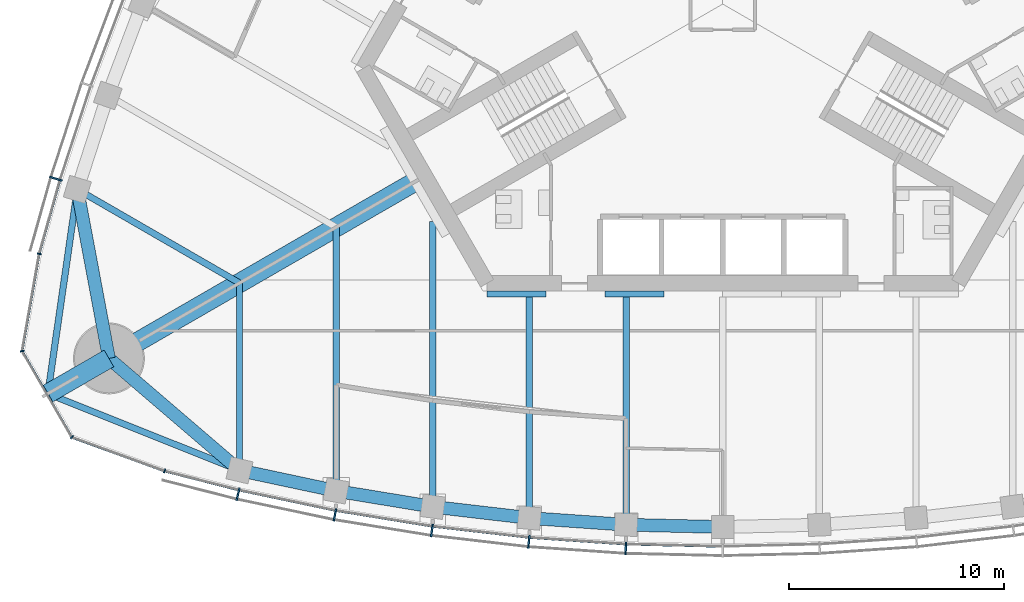
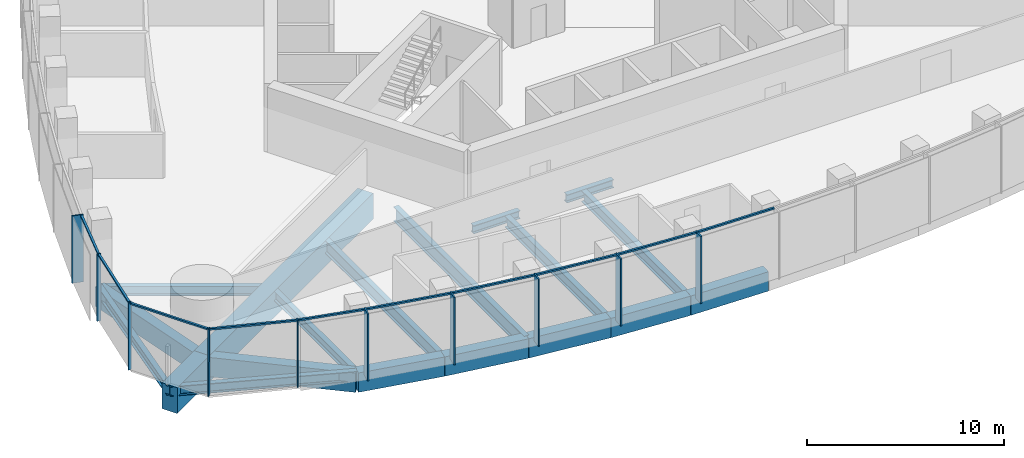
# One storey, part 2 of 19: 20 members, 19 beams, 3 elements without a shape of their own.
"""IFC4 building model written with IfcOpenShell, lengths in metres."""

from ifc_helpers import new_model, si_unit, direction, frame, origin, origin_2d, place, context, subcontext, project, spatial, rectangle, i_section, extrude, material, material_profile, profile_set, type_object, element, aggregate, save


model = new_model("IFC4")

# Units and contexts
model_context = context("Model", 3, precision=1e-05, world=origin(), true_north=direction((0.0, 1.0)))
body_context = subcontext(model_context, "Body", "Model", "MODEL_VIEW")
ifc_project = project(units=[si_unit("LENGTHUNIT", "METRE"), si_unit("AREAUNIT", "SQUARE_METRE"), si_unit("VOLUMEUNIT", "CUBIC_METRE"), si_unit("PLANEANGLEUNIT", "RADIAN"), si_unit("MASSUNIT", "GRAM", prefix="KILO")], contexts=[model_context])

# Site, building, storey
site_placement = place(None, origin())
site = spatial("IfcSite", under=ifc_project, at=site_placement, CompositionType="ELEMENT")
building_placement = place(site_placement, origin())
building = spatial("IfcBuilding", under=site, at=building_placement, Name="Trefoil Bronze Tower", CompositionType="ELEMENT")
storey_placement = place(building_placement, frame((0.0, 0.0, 227.5)))
storey = spatial("IfcBuildingStorey", under=building, at=storey_placement, Name="L52", CompositionType="ELEMENT", Elevation=227.5)

# Curtain wall, members
ifc_material_1 = material(Name="Tinted solar-control glass", Category="glass")
curtain_wall_type_1 = type_object("IfcCurtainWallType", Name="Bronze office curtain wall", PredefinedType="USERDEFINED", material=ifc_material_1)
curtain_wall_1_placement = place(storey_placement, origin())
curtain_wall_1 = element("IfcCurtainWall", 1, at=curtain_wall_1_placement, inside=storey, type_object=curtain_wall_type_1, Name="CW-A L52 F1", ObjectType="CURTAIN WALL", PredefinedType="USERDEFINED")
ifc_material_2 = material(Name="Bronze-finish aluminium", Category="aluminium")
ifc_material_profile_1 = material_profile(ifc_material_2, rectangle(XDim=0.60009765625, YDim=0.080078125, at=origin_2d()), Name="CW-A mullion")
ifc_profile_set_1 = profile_set([ifc_material_profile_1], Name="Bronze-finish aluminium")
member_type_1 = type_object("IfcMemberType", Name="Bronze office curtain wall mullion", PredefinedType="MULLION", material=ifc_profile_set_1)
member_1_placement = place(storey_placement, frame((-22.568115234375, -22.82421875, 0.0), z_axis=(0.0, 0.0, 1.0), x_axis=(0.227082662569, 0.973875487093, 0.0)))
member_1 = element("IfcMember", 2, at=member_1_placement, type_object=member_type_1, Name="CW-A L52 F1 mullion 2", PredefinedType="MULLION", context=body_context, shape_type="SweptSolid", body=[
    extrude(rectangle(XDim=0.60009765625, YDim=0.080078125, at=origin_2d()), origin(), (0.0, 0.0, 1.0), 4.179931640625),
])
member_2_placement = place(storey_placement, frame((-18.05517578125, -23.77783203125, 0.0), z_axis=(0.0, 0.0, 1.0), x_axis=(0.183825368167, 0.982958917767, 0.0)))
member_2 = element("IfcMember", 3, at=member_2_placement, type_object=member_type_1, Name="CW-A L52 F1 mullion 3", PredefinedType="MULLION", context=body_context, shape_type="SweptSolid", body=[
    extrude(rectangle(XDim=0.60009765625, YDim=0.080078125, at=origin_2d()), origin(), (0.0, 0.0, 1.0), 4.179931640625),
])
member_3_placement = place(storey_placement, frame((-13.541259765625, -24.51318359375, 0.0), z_axis=(0.0, 0.0, 1.0), x_axis=(0.137867887204, 0.990450627582, 0.0)))
member_3 = element("IfcMember", 4, at=member_3_placement, type_object=member_type_1, Name="CW-A L52 F1 mullion 4", PredefinedType="MULLION", context=body_context, shape_type="SweptSolid", body=[
    extrude(rectangle(XDim=0.60009765625, YDim=0.080078125, at=origin_2d()), origin(), (0.0, 0.0, 1.0), 4.179931640625),
])
member_4_placement = place(storey_placement, frame((-9.027587890625, -25.03515625, 0.0), z_axis=(0.0, 0.0, 1.0), x_axis=(0.091911396394, 0.995767189263, 0.0)))
member_4 = element("IfcMember", 5, at=member_4_placement, type_object=member_type_1, Name="CW-A L52 F1 mullion 5", PredefinedType="MULLION", context=body_context, shape_type="SweptSolid", body=[
    extrude(rectangle(XDim=0.60009765625, YDim=0.080078125, at=origin_2d()), origin(), (0.0, 0.0, 1.0), 4.179931640625),
])
member_5_placement = place(storey_placement, frame((-4.513671875, -25.346923828125, 0.0), z_axis=(0.0, 0.0, 1.0), x_axis=(0.045955542372, 0.998943485952, 0.0)))
member_5 = element("IfcMember", 6, at=member_5_placement, type_object=member_type_1, Name="CW-A L52 F1 mullion 6", PredefinedType="MULLION", context=body_context, shape_type="SweptSolid", body=[
    extrude(rectangle(XDim=0.60009765625, YDim=0.080078125, at=origin_2d()), origin(), (0.0, 0.0, 1.0), 4.179931640625),
])

# Curtain wall, member
curtain_wall_2_placement = place(storey_placement, origin())
curtain_wall_2 = element("IfcCurtainWall", 7, at=curtain_wall_2_placement, inside=storey, type_object=curtain_wall_type_1, Name="CW-A L52 F3", ObjectType="CURTAIN WALL", PredefinedType="USERDEFINED")
member_6_placement = place(storey_placement, frame((-31.05029296875, -8.132568359375, 0.0), z_axis=(0.0, 0.0, 1.0), x_axis=(0.95694224323, -0.290278389002, 0.0)))
member_6 = element("IfcMember", 8, at=member_6_placement, type_object=member_type_1, Name="CW-A L52 F3 mullion 12", PredefinedType="MULLION", context=body_context, shape_type="SweptSolid", body=[
    extrude(rectangle(XDim=0.60009765625, YDim=0.080078125, at=origin_2d()), origin(), (0.0, 0.0, 1.0), 4.179931640625),
])

# Member
ifc_material_3 = material(Name="Bronze-finish aluminium", Category="aluminium")
ifc_material_profile_2 = material_profile(ifc_material_3, rectangle(XDim=0.1201171875, YDim=0.10009765625, at=origin_2d()), Name="CW-A transom")
ifc_profile_set_2 = profile_set([ifc_material_profile_2], Name="Bronze-finish aluminium")
member_type_2 = type_object("IfcMemberType", Name="Bronze office curtain wall transom", PredefinedType="USERDEFINED", material=ifc_profile_set_2)
member_7_placement = place(storey_placement, frame((-25.93896484375, -21.75732421875, 4.1298828125), z_axis=(0.968935220916, -0.247314653162, 0.0), x_axis=(0.247314653162, 0.968935220916, 0.0)))
member_7 = element("IfcMember", 9, at=member_7_placement, type_object=member_type_2, Name="CW-A L52 F1 transom 1", ObjectType="TRANSOM", PredefinedType="USERDEFINED", context=body_context, shape_type="SweptSolid", body=[
    extrude(rectangle(XDim=0.1201171875, YDim=0.10009765625, at=origin_2d()), origin(), (0.0, 0.0, 1.0), 3.483642578125),
])

member_8_placement = place(storey_placement, frame((-22.4814453125, -22.63818359375, 4.1298828125), z_axis=(0.978395325657, -0.20674280334, 0.0), x_axis=(0.20674280334, 0.978395325657, 0.0)))
member_8 = element("IfcMember", 10, at=member_8_placement, type_object=member_type_2, Name="CW-A L52 F1 transom 2", ObjectType="TRANSOM", PredefinedType="USERDEFINED", context=body_context, shape_type="SweptSolid", body=[
    extrude(rectangle(XDim=0.1201171875, YDim=0.10009765625, at=origin_2d()), origin(), (0.0, 0.0, 1.0), 4.519287109375),
])

member_9_placement = place(storey_placement, frame((-17.9765625, -23.588134765625, 4.1298828125), z_axis=(0.986988367046, -0.160791676761, 0.0), x_axis=(0.160791676761, 0.986988367046, 0.0)))
member_9 = element("IfcMember", 11, at=member_9_placement, type_object=member_type_2, Name="CW-A L52 F1 transom 3", ObjectType="TRANSOM", PredefinedType="USERDEFINED", context=body_context, shape_type="SweptSolid", body=[
    extrude(rectangle(XDim=0.1201171875, YDim=0.10009765625, at=origin_2d()), origin(), (0.0, 0.0, 1.0), 4.479248046875),
])

member_10_placement = place(storey_placement, frame((-13.4716796875, -24.320068359375, 4.1298828125), z_axis=(0.993384885596, -0.114832352013, 0.0), x_axis=(0.114832352013, 0.993384885596, 0.0)))
member_10 = element("IfcMember", 12, at=member_10_placement, type_object=member_type_2, Name="CW-A L52 F1 transom 4", ObjectType="TRANSOM", PredefinedType="USERDEFINED", context=body_context, shape_type="SweptSolid", body=[
    extrude(rectangle(XDim=0.1201171875, YDim=0.10009765625, at=origin_2d()), origin(), (0.0, 0.0, 1.0), 4.449951171875),
])

member_11_placement = place(storey_placement, frame((-8.967041015625, -24.8388671875, 4.1298828125), z_axis=(0.997621320987, -0.06893257512, 0.0), x_axis=(0.06893257512, 0.997621320987, 0.0)))
member_11 = element("IfcMember", 13, at=member_11_placement, type_object=member_type_2, Name="CW-A L52 F1 transom 5", ObjectType="TRANSOM", PredefinedType="USERDEFINED", context=body_context, shape_type="SweptSolid", body=[
    extrude(rectangle(XDim=0.1201171875, YDim=0.10009765625, at=origin_2d()), origin(), (0.0, 0.0, 1.0), 4.4306640625),
])

member_12_placement = place(storey_placement, frame((-4.46240234375, -25.148193359375, 4.1298828125), z_axis=(0.999736131416, -0.022971015226, 0.0), x_axis=(0.022971015226, 0.999736131416, 0.0)))
member_12 = element("IfcMember", 14, at=member_12_placement, type_object=member_type_2, Name="CW-A L52 F1 transom 6", ObjectType="TRANSOM", PredefinedType="USERDEFINED", context=body_context, shape_type="SweptSolid", body=[
    extrude(rectangle(XDim=0.1201171875, YDim=0.10009765625, at=origin_2d()), origin(), (0.0, 0.0, 1.0), 4.42138671875),
])

aggregate(curtain_wall_1, [member_1, member_2, member_3, member_4, member_5, member_7, member_8, member_9, member_10, member_11, member_12])

member_13_placement = place(storey_placement, frame((-30.870361328125, -8.23095703125, 4.1298828125), z_axis=(-0.270284880437, -0.962780392097, 0.0), x_axis=(0.962780392097, -0.270284880437, 0.0)))
member_13 = element("IfcMember", 15, at=member_13_placement, type_object=member_type_2, Name="CW-A L52 F3 transom 12", ObjectType="TRANSOM", PredefinedType="USERDEFINED", context=body_context, shape_type="SweptSolid", body=[
    extrude(rectangle(XDim=0.1201171875, YDim=0.10009765625, at=origin_2d()), origin(), (0.0, 0.0, 1.0), 3.48388671875),
])

aggregate(curtain_wall_2, [member_6, member_13])

# Curtain wall, members
ifc_material_4 = material(Name="Tinted solar-control glass", Category="glass")
curtain_wall_type_2 = type_object("IfcCurtainWallType", Name="Bronze rounded corner curtain wall", PredefinedType="USERDEFINED", material=ifc_material_4)
curtain_wall_3_placement = place(storey_placement, origin())
curtain_wall_3 = element("IfcCurtainWall", 16, at=curtain_wall_3_placement, inside=storey, type_object=curtain_wall_type_2, Name="CW-B L52 K3", ObjectType="CURTAIN WALL", PredefinedType="USERDEFINED")
ifc_material_5 = material(Name="Bronze-finish aluminium", Category="aluminium")
ifc_material_profile_3 = material_profile(ifc_material_5, rectangle(XDim=0.199951171875, YDim=0.06005859375, at=origin_2d()), Name="CW-B mullion")
ifc_profile_set_3 = profile_set([ifc_material_profile_3], Name="Bronze-finish aluminium")
member_type_3 = type_object("IfcMemberType", Name="Bronze rounded corner curtain wall mullion", PredefinedType="MULLION", material=ifc_profile_set_3)
member_14_placement = place(storey_placement, frame((-31.824951171875, -11.63330078125, 0.0), z_axis=(0.0, 0.0, 1.0), x_axis=(0.984807753012, -0.173648177667, 0.0)))
member_14 = element("IfcMember", 17, at=member_14_placement, type_object=member_type_3, Name="CW-B L52 K3 mullion 1", PredefinedType="MULLION", context=body_context, shape_type="SweptSolid", body=[
    extrude(rectangle(XDim=0.199951171875, YDim=0.06005859375, at=origin_2d()), origin(), (0.0, 0.0, 1.0), 4.179931640625),
])
member_15_placement = place(storey_placement, frame((-32.616943359375, -16.158935546875, 0.0), z_axis=(0.0, 0.0, 1.0), x_axis=(0.984807753012, 0.173648177667, 0.0)))
member_15 = element("IfcMember", 18, at=member_15_placement, type_object=member_type_3, Name="CW-B L52 K3 mullion 2", PredefinedType="MULLION", context=body_context, shape_type="SweptSolid", body=[
    extrude(rectangle(XDim=0.199951171875, YDim=0.06005859375, at=origin_2d()), origin(), (0.0, 0.0, 1.0), 4.179931640625),
])
member_16_placement = place(storey_placement, frame((-30.302490234375, -20.16748046875, 0.0), z_axis=(0.0, 0.0, 1.0), x_axis=(0.642787609687, 0.766044443119, 0.0)))
member_16 = element("IfcMember", 19, at=member_16_placement, type_object=member_type_3, Name="CW-B L52 K3 mullion 3", PredefinedType="MULLION", context=body_context, shape_type="SweptSolid", body=[
    extrude(rectangle(XDim=0.199951171875, YDim=0.06005859375, at=origin_2d()), origin(), (0.0, 0.0, 1.0), 4.179931640625),
])
member_17_placement = place(storey_placement, frame((-25.9873046875, -21.74462890625, 0.0), z_axis=(0.0, 0.0, 1.0), x_axis=(0.342020143326, 0.939692620786, 0.0)))
member_17 = element("IfcMember", 20, at=member_17_placement, type_object=member_type_3, Name="CW-B L52 K3 mullion 4", PredefinedType="MULLION", context=body_context, shape_type="SweptSolid", body=[
    extrude(rectangle(XDim=0.199951171875, YDim=0.06005859375, at=origin_2d()), origin(), (0.0, 0.0, 1.0), 4.179931640625),
])
ifc_material_6 = material(Name="Bronze-finish aluminium", Category="aluminium")
ifc_material_profile_4 = material_profile(ifc_material_6, rectangle(XDim=0.1201171875, YDim=0.10009765625, at=origin_2d()), Name="CW-B transom")
ifc_profile_set_4 = profile_set([ifc_material_profile_4], Name="Bronze-finish aluminium")
member_type_4 = type_object("IfcMemberType", Name="Bronze rounded corner curtain wall transom", PredefinedType="USERDEFINED", material=ifc_profile_set_4)
member_18_placement = place(storey_placement, frame((-31.830078125, -11.662841796875, 4.1298828125), z_axis=(-0.173655350028, -0.984806488304, 0.0), x_axis=(0.984806488304, -0.173655350028, 0.0)))
member_18 = element("IfcMember", 21, at=member_18_placement, type_object=member_type_4, Name="CW-B L52 K3 transom 1", ObjectType="TRANSOM", PredefinedType="USERDEFINED", context=body_context, shape_type="SweptSolid", body=[
    extrude(rectangle(XDim=0.1201171875, YDim=0.10009765625, at=origin_2d()), origin(), (0.0, 0.0, 1.0), 4.500244140625),
])
member_19_placement = place(storey_placement, frame((-32.590087890625, -16.217529296875, 4.1298828125), z_axis=(0.500007335828, -0.866021168401, 0.0), x_axis=(0.866021168401, 0.500007335828, 0.0)))
member_19 = element("IfcMember", 22, at=member_19_placement, type_object=member_type_4, Name="CW-B L52 K3 transom 2", ObjectType="TRANSOM", PredefinedType="USERDEFINED", context=body_context, shape_type="SweptSolid", body=[
    extrude(rectangle(XDim=0.1201171875, YDim=0.10009765625, at=origin_2d()), origin(), (0.0, 0.0, 1.0), 4.50048828125),
])
member_20_placement = place(storey_placement, frame((-30.244140625, -20.195068359375, 4.1298828125), z_axis=(0.939680910753, -0.342052314664, 0.0), x_axis=(0.342052314664, 0.939680910753, 0.0)))
member_20 = element("IfcMember", 23, at=member_20_placement, type_object=member_type_4, Name="CW-B L52 K3 transom 3", ObjectType="TRANSOM", PredefinedType="USERDEFINED", context=body_context, shape_type="SweptSolid", body=[
    extrude(rectangle(XDim=0.1201171875, YDim=0.10009765625, at=origin_2d()), origin(), (0.0, 0.0, 1.0), 4.500244140625),
])
aggregate(curtain_wall_3, [member_14, member_15, member_16, member_17, member_18, member_19, member_20])

# Beams
ifc_material_7 = material(Name="Steel C355", Category="steel")
ifc_material_profile_5 = material_profile(ifc_material_7, i_section(OverallWidth=0.300048828125, OverallDepth=0.5, WebThickness=0.014404296875, FlangeThickness=0.028076171875, FilletRadius=0.027099609375, at=origin_2d()), Name="HEB 500")
ifc_profile_set_5 = profile_set([ifc_material_profile_5], Name="Steel C355")
beam_type_1 = type_object("IfcBeamType", Name="Core seat beam HEB 500", PredefinedType="BEAM", material=ifc_profile_set_5)
for number, where, z_axis, x_axis, name in (
    (24, (-10.9697265625, -13.5, -0.449951171875), (1.0, 0.0, 0.0), (0.0, 1.0, 0.0), "Core seat beam F1/-2 L52"),
    (25, (-5.48486328125, -13.5, -0.449951171875), (1.0, 0.0, 0.0), (0.0, 1.0, 0.0), "Core seat beam F1/-1 L52"),
):
    element("IfcBeam", number, at=place(storey_placement, frame(where, z_axis=z_axis, x_axis=x_axis)), inside=storey, type_object=beam_type_1, Name=name, PredefinedType="BEAM", context=body_context, shape_type="SweptSolid", body=[
        extrude(i_section(OverallWidth=0.300048828125, OverallDepth=0.5, WebThickness=0.014404296875, FlangeThickness=0.028076171875, FilletRadius=0.027099609375, at=origin_2d()), origin(), (0.0, 0.0, 1.0), 2.742431640625),
    ])
ifc_material_8 = material(Name="Concrete B80", Category="concrete")
ifc_material_profile_6 = material_profile(ifc_material_8, rectangle(XDim=0.89990234375, YDim=1.60009765625, at=origin_2d()), Name="RC 900x1600")
ifc_profile_set_6 = profile_set([ifc_material_profile_6], Name="Concrete B80")
beam_type_2 = type_object("IfcBeamType", Name="Corner cantilever RC 900x1600", PredefinedType="BEAM", material=ifc_profile_set_6)
beam_1_placement = place(storey_placement, frame((-28.578857421875, -16.5, -1.0), z_axis=(-0.866016004958, -0.500016278891, 0.0), x_axis=(0.500016278891, -0.866016004958, 0.0)))
element("IfcBeam", 26, at=beam_1_placement, inside=storey, type_object=beam_type_2, Name="Corner cantilever K3 L52", PredefinedType="BEAM", context=body_context, shape_type="SweptSolid", body=[
    extrude(rectangle(XDim=0.89990234375, YDim=1.60009765625, at=origin_2d()), origin(), (0.0, 0.0, 1.0), 3.28466796875),
])
ifc_material_9 = material(Name="Steel C355", Category="steel")
ifc_material_profile_7 = material_profile(ifc_material_9, i_section(OverallWidth=0.300048828125, OverallDepth=0.60009765625, WebThickness=0.015380859375, FlangeThickness=0.030029296875, FilletRadius=0.027099609375, at=origin_2d()), Name="HEB 600")
ifc_profile_set_7 = profile_set([ifc_material_profile_7], Name="Steel C355")
beam_type_3 = type_object("IfcBeamType", Name="Corner edge beam HEB 600", PredefinedType="BEAM", material=ifc_profile_set_7)
for number, where, z_axis, x_axis, name in (
    (27, (-22.5, -21.71044921875, -0.5), (-0.92852048463, 0.371281173266, 0.0), (-0.371281173266, -0.92852048463, 0.0), "Corner edge beam F1B L52"),
    (28, (-30.052001953125, -8.63037109375, -0.5), (-0.142694489722, -0.989766781925, 0.0), (0.989766781925, -0.142694489722, 0.0), "Corner edge beam F3A L52"),
):
    element("IfcBeam", number, at=place(storey_placement, frame(where, z_axis=z_axis, x_axis=x_axis)), inside=storey, type_object=beam_type_3, Name=name, PredefinedType="BEAM", context=body_context, shape_type="SweptSolid", body=[
        extrude(i_section(OverallWidth=0.300048828125, OverallDepth=0.60009765625, WebThickness=0.015380859375, FlangeThickness=0.030029296875, FilletRadius=0.027099609375, at=origin_2d()), origin(), (0.0, 0.0, 1.0), 9.6103515625),
    ])
ifc_material_10 = material(Name="Concrete B80", Category="concrete")
ifc_material_profile_8 = material_profile(ifc_material_10, rectangle(XDim=0.89990234375, YDim=1.60009765625, at=origin_2d()), Name="RC 900x1600")
ifc_profile_set_8 = profile_set([ifc_material_profile_8], Name="Concrete B80")
beam_type_4 = type_object("IfcBeamType", Name="Corner girder RC 900x1600", PredefinedType="BEAM", material=ifc_profile_set_8)
beam_2_placement = place(storey_placement, frame((-14.159423828125, -8.175048828125, -1.0), z_axis=(-0.866028334591, -0.49999492366, 0.0), x_axis=(0.49999492366, -0.866028334591, 0.0)))
element("IfcBeam", 29, at=beam_2_placement, inside=storey, type_object=beam_type_4, Name="Corner girder K3 L52", PredefinedType="BEAM", context=body_context, shape_type="SweptSolid", body=[
    extrude(rectangle(XDim=0.89990234375, YDim=1.60009765625, at=origin_2d()), origin(), (0.0, 0.0, 1.0), 16.650146484375),
])
ifc_material_11 = material(Name="Concrete B80", Category="concrete")
ifc_material_profile_9 = material_profile(ifc_material_11, rectangle(XDim=0.60009765625, YDim=1.199951171875, at=origin_2d()), Name="RC 600x1200")
ifc_profile_set_9 = profile_set([ifc_material_profile_9], Name="Concrete B80")
beam_type_5 = type_object("IfcBeamType", Name="End spandrel beam RC 600x1200", PredefinedType="SPANDREL", material=ifc_profile_set_9)
for number, where, z_axis, x_axis, name in (
    (30, (-28.578857421875, -16.5, -0.800048828125), (0.759256602365, -0.650791373456, 0.0), (0.650791373456, 0.759256602365, 0.0), "Spandrel F1.1 L52"),
    (31, (-30.052001953125, -8.63037109375, -0.800048828125), (0.18399763073, -0.982926686933, 0.0), (0.982926686933, 0.18399763073, 0.0), "Spandrel F3.12 L52"),
):
    element("IfcBeam", number, at=place(storey_placement, frame(where, z_axis=z_axis, x_axis=x_axis)), inside=storey, type_object=beam_type_5, Name=name, PredefinedType="SPANDREL", context=body_context, shape_type="SweptSolid", body=[
        extrude(rectangle(XDim=0.60009765625, YDim=1.199951171875, at=origin_2d()), origin(), (0.0, 0.0, 1.0), 8.00634765625),
    ])
ifc_material_12 = material(Name="Steel C355", Category="steel")
ifc_material_profile_10 = material_profile(ifc_material_12, i_section(OverallWidth=0.300048828125, OverallDepth=0.590087890625, WebThickness=0.012939453125, FlangeThickness=0.02490234375, FilletRadius=0.027099609375, at=origin_2d()), Name="HEA 600")
ifc_profile_set_10 = profile_set([ifc_material_profile_10], Name="Steel C355")
beam_type_6 = type_object("IfcBeamType", Name="Floor beam HEA 600", PredefinedType="BEAM", material=ifc_profile_set_10)
beam_3_placement = place(storey_placement, frame((-22.5, -21.71044921875, -0.4951171875), z_axis=(0.0, 1.0, 0.0), x_axis=(-1.0, 0.0, 0.0)))
element("IfcBeam", 32, at=beam_3_placement, inside=storey, type_object=beam_type_6, Name="Floor beam F1/-5 L52", PredefinedType="BEAM", context=body_context, shape_type="SweptSolid", body=[
    extrude(i_section(OverallWidth=0.300048828125, OverallDepth=0.590087890625, WebThickness=0.012939453125, FlangeThickness=0.02490234375, FilletRadius=0.027099609375, at=origin_2d()), origin(), (0.0, 0.0, 1.0), 8.719970703125),
])
beam_4_placement = place(storey_placement, frame((-30.052001953125, -8.63037109375, -0.4951171875), z_axis=(0.866027535932, -0.499996306993, 0.0), x_axis=(0.499996306993, 0.866027535932, 0.0)))
element("IfcBeam", 33, at=beam_4_placement, inside=storey, type_object=beam_type_6, Name="Floor beam F3/+5 L52", PredefinedType="BEAM", context=body_context, shape_type="SweptSolid", body=[
    extrude(i_section(OverallWidth=0.300048828125, OverallDepth=0.590087890625, WebThickness=0.012939453125, FlangeThickness=0.02490234375, FilletRadius=0.027099609375, at=origin_2d()), origin(), (0.0, 0.0, 1.0), 8.72021484375),
])
ifc_material_13 = material(Name="Steel C355", Category="steel")
ifc_material_profile_11 = material_profile(ifc_material_13, i_section(OverallWidth=0.300048828125, OverallDepth=0.699951171875, WebThickness=0.01708984375, FlangeThickness=0.031982421875, FilletRadius=0.027099609375, at=origin_2d()), Name="HEB 700")
ifc_profile_set_11 = profile_set([ifc_material_profile_11], Name="Steel C355")
beam_type_7 = type_object("IfcBeamType", Name="Floor beam HEB 700", PredefinedType="BEAM", material=ifc_profile_set_11)
beam_5_placement = place(storey_placement, frame((-9.0, -23.932861328125, -0.550048828125), z_axis=(0.0, 1.0, 0.0), x_axis=(-1.0, 0.0, 0.0)))
element("IfcBeam", 34, at=beam_5_placement, inside=storey, type_object=beam_type_7, Name="Floor beam F1/-2 L52", PredefinedType="BEAM", context=body_context, shape_type="SweptSolid", body=[
    extrude(i_section(OverallWidth=0.300048828125, OverallDepth=0.699951171875, WebThickness=0.01708984375, FlangeThickness=0.031982421875, FilletRadius=0.027099609375, at=origin_2d()), origin(), (0.0, 0.0, 1.0), 10.282958984375),
])
beam_6_placement = place(storey_placement, frame((-4.5, -24.246337890625, -0.550048828125), z_axis=(0.0, 1.0, 0.0), x_axis=(-1.0, 0.0, 0.0)))
element("IfcBeam", 35, at=beam_6_placement, inside=storey, type_object=beam_type_7, Name="Floor beam F1/-1 L52", PredefinedType="BEAM", context=body_context, shape_type="SweptSolid", body=[
    extrude(i_section(OverallWidth=0.300048828125, OverallDepth=0.699951171875, WebThickness=0.01708984375, FlangeThickness=0.031982421875, FilletRadius=0.027099609375, at=origin_2d()), origin(), (0.0, 0.0, 1.0), 10.596435546875),
])
ifc_material_14 = material(Name="Steel C355", Category="steel")
ifc_material_profile_12 = material_profile(ifc_material_14, i_section(OverallWidth=0.300048828125, OverallDepth=0.800048828125, WebThickness=0.017578125, FlangeThickness=0.032958984375, FilletRadius=0.030029296875, at=origin_2d()), Name="HEB 800")
ifc_profile_set_12 = profile_set([ifc_material_profile_12], Name="Steel C355")
beam_type_8 = type_object("IfcBeamType", Name="Floor beam HEB 800", PredefinedType="BEAM", material=ifc_profile_set_12)
beam_7_placement = place(storey_placement, frame((-18.0, -22.6689453125, -0.60009765625), z_axis=(0.0, 1.0, 0.0), x_axis=(-1.0, 0.0, 0.0)))
element("IfcBeam", 36, at=beam_7_placement, inside=storey, type_object=beam_type_8, Name="Floor beam F1/-4 L52", PredefinedType="BEAM", context=body_context, shape_type="SweptSolid", body=[
    extrude(i_section(OverallWidth=0.300048828125, OverallDepth=0.800048828125, WebThickness=0.017578125, FlangeThickness=0.032958984375, FilletRadius=0.030029296875, at=origin_2d()), origin(), (0.0, 0.0, 1.0), 12.276611328125),
])
ifc_material_15 = material(Name="Steel C355", Category="steel")
ifc_material_profile_13 = material_profile(ifc_material_15, i_section(OverallWidth=0.300048828125, OverallDepth=0.89990234375, WebThickness=0.0185546875, FlangeThickness=0.034912109375, FilletRadius=0.030029296875, at=origin_2d()), Name="HEB 900")
ifc_profile_set_13 = profile_set([ifc_material_profile_13], Name="Steel C355")
beam_type_9 = type_object("IfcBeamType", Name="Floor beam HEB 900", PredefinedType="BEAM", material=ifc_profile_set_13)
beam_8_placement = place(storey_placement, frame((-13.5, -23.408447265625, -0.64990234375), z_axis=(0.0, 1.0, 0.0), x_axis=(-1.0, 0.0, 0.0)))
element("IfcBeam", 37, at=beam_8_placement, inside=storey, type_object=beam_type_9, Name="Floor beam F1/-3 L52", PredefinedType="BEAM", context=body_context, shape_type="SweptSolid", body=[
    extrude(i_section(OverallWidth=0.300048828125, OverallDepth=0.89990234375, WebThickness=0.0185546875, FlangeThickness=0.034912109375, FilletRadius=0.030029296875, at=origin_2d()), origin(), (0.0, 0.0, 1.0), 13.291015625),
])
ifc_material_16 = material(Name="Concrete B80", Category="concrete")
ifc_material_profile_14 = material_profile(ifc_material_16, rectangle(XDim=0.60009765625, YDim=1.199951171875, at=origin_2d()), Name="RC 600x1200")
ifc_profile_set_14 = profile_set([ifc_material_profile_14], Name="Concrete B80")
beam_type_10 = type_object("IfcBeamType", Name="Spandrel beam RC 600x1200", PredefinedType="SPANDREL", material=ifc_profile_set_14)
beam_9_placement = place(storey_placement, frame((-22.5, -21.71044921875, -0.800048828125), z_axis=(0.978059483036, -0.208325820877, 0.0), x_axis=(0.208325820877, 0.978059483036, 0.0)))
element("IfcBeam", 38, at=beam_9_placement, inside=storey, type_object=beam_type_10, Name="Spandrel F1.2 L52", PredefinedType="SPANDREL", context=body_context, shape_type="SweptSolid", body=[
    extrude(rectangle(XDim=0.60009765625, YDim=1.199951171875, at=origin_2d()), origin(), (0.0, 0.0, 1.0), 4.600830078125),
])
beam_10_placement = place(storey_placement, frame((-18.0, -22.6689453125, -0.800048828125), z_axis=(0.986764681833, -0.162158757664, 0.0), x_axis=(0.162158757664, 0.986764681833, 0.0)))
element("IfcBeam", 39, at=beam_10_placement, inside=storey, type_object=beam_type_10, Name="Spandrel F1.3 L52", PredefinedType="SPANDREL", context=body_context, shape_type="SweptSolid", body=[
    extrude(rectangle(XDim=0.60009765625, YDim=1.199951171875, at=origin_2d()), origin(), (0.0, 0.0, 1.0), 4.560302734375),
])
beam_11_placement = place(storey_placement, frame((-13.5, -23.408447265625, -0.800048828125), z_axis=(0.993278017132, -0.115753102257, 0.0), x_axis=(0.115753102257, 0.993278017132, 0.0)))
element("IfcBeam", 40, at=beam_11_placement, inside=storey, type_object=beam_type_10, Name="Spandrel F1.4 L52", PredefinedType="SPANDREL", context=body_context, shape_type="SweptSolid", body=[
    extrude(rectangle(XDim=0.60009765625, YDim=1.199951171875, at=origin_2d()), origin(), (0.0, 0.0, 1.0), 4.530517578125),
])
beam_12_placement = place(storey_placement, frame((-9.0, -23.932861328125, -0.800048828125), z_axis=(0.997582435881, -0.069493047291, 0.0), x_axis=(0.069493047291, 0.997582435881, 0.0)))
element("IfcBeam", 41, at=beam_12_placement, inside=storey, type_object=beam_type_10, Name="Spandrel F1.5 L52", PredefinedType="SPANDREL", context=body_context, shape_type="SweptSolid", body=[
    extrude(rectangle(XDim=0.60009765625, YDim=1.199951171875, at=origin_2d()), origin(), (0.0, 0.0, 1.0), 4.510986328125),
])
beam_13_placement = place(storey_placement, frame((-4.5, -24.246337890625, -0.800048828125), z_axis=(0.999731770792, -0.023160018779, 0.0), x_axis=(0.023160018779, 0.999731770792, 0.0)))
element("IfcBeam", 42, at=beam_13_placement, inside=storey, type_object=beam_type_10, Name="Spandrel F1.6 L52", PredefinedType="SPANDREL", context=body_context, shape_type="SweptSolid", body=[
    extrude(rectangle(XDim=0.60009765625, YDim=1.199951171875, at=origin_2d()), origin(), (0.0, 0.0, 1.0), 4.501220703125),
])

save(model, "model.ifc")
